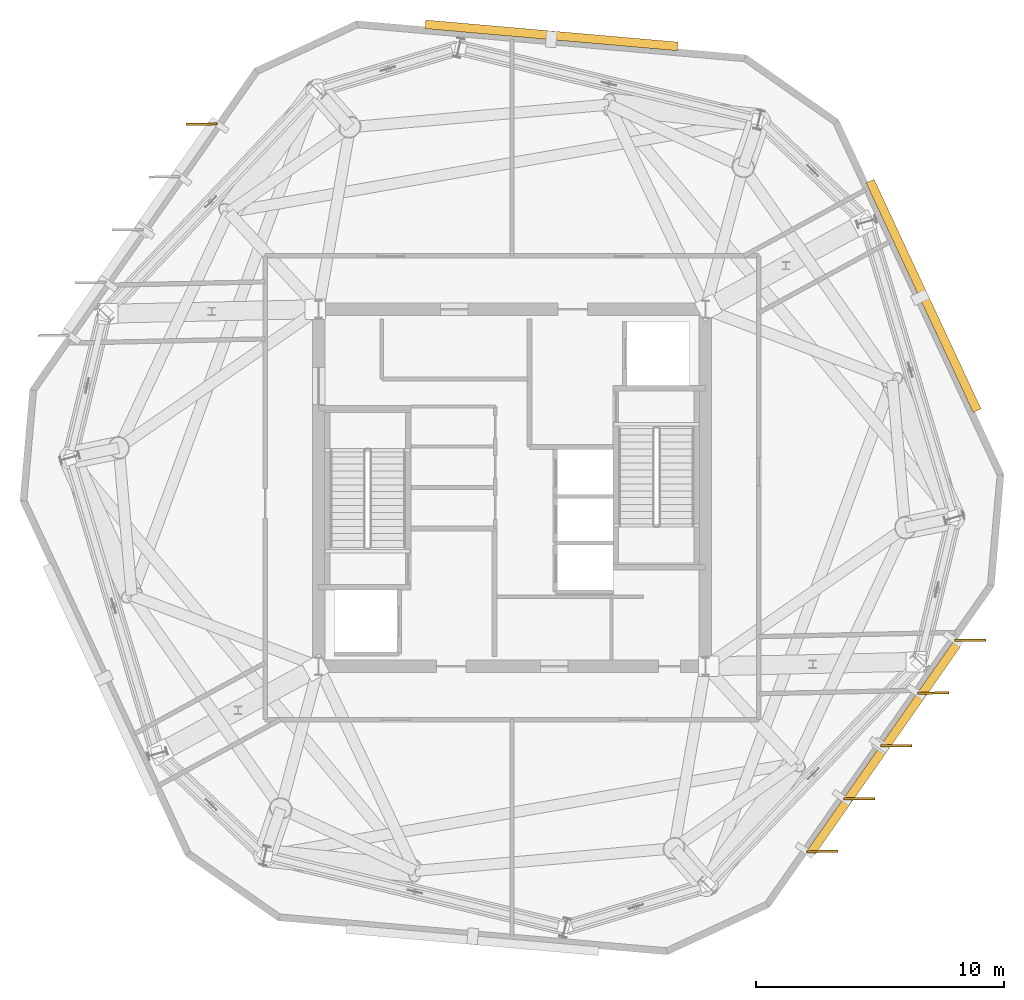
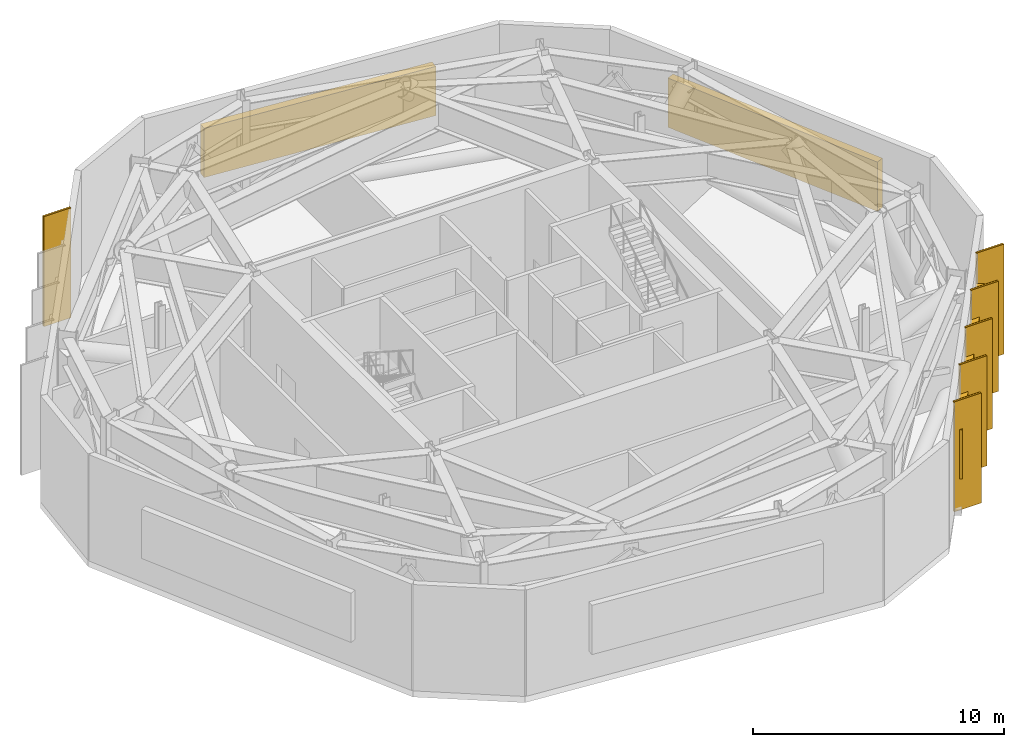
# One storey, part 10 of 10: 9 shading devices, 6 coverings.
"""IFC4 building model written with IfcOpenShell, lengths in metres."""

from ifc_helpers import new_model, si_unit, direction, frame, origin, origin_2d, place, context, subcontext, project, spatial, rectangle, extrude, material, layer, layer_set, type_object, element, save


model = new_model("IFC4")

# Units and contexts
model_context = context("Model", 3, precision=1e-05, world=origin(), true_north=direction((0.0, 1.0)))
body_context = subcontext(model_context, "Body", "Model", "MODEL_VIEW")
ifc_project = project(units=[si_unit("LENGTHUNIT", "METRE"), si_unit("AREAUNIT", "SQUARE_METRE"), si_unit("VOLUMEUNIT", "CUBIC_METRE"), si_unit("PLANEANGLEUNIT", "RADIAN"), si_unit("MASSUNIT", "GRAM", prefix="KILO")], contexts=[model_context])

# Site, building, storey
site_placement = place(None, origin())
site = spatial("IfcSite", under=ifc_project, at=site_placement, CompositionType="ELEMENT")
building_placement = place(site_placement, origin())
building = spatial("IfcBuilding", under=site, at=building_placement, Name="Kranzbogen Civic Tower", CompositionType="ELEMENT")
storey_placement = place(building_placement, frame((0.0, 0.0, 244.800048828125)))
storey = spatial("IfcBuildingStorey", under=building, at=storey_placement, Name="L59", CompositionType="ELEMENT", Elevation=244.800048828125)

# Coverings
ifc_material_1 = material(Name="Pale Anodised Aluminium", Category="aluminium")
ifc_layer = layer(ifc_material_1, 0.02490234375, Name="Pale Anodised Aluminium")
ifc_layer_set = layer_set([ifc_layer], Name="Pale Anodised Aluminium")
covering_type = type_object("IfcCoveringType", Name="Anodised Aluminium Vertical Fin Cladding 25 mm", PredefinedType="CLADDING", material=ifc_layer_set)
for number, where, z_axis, x_axis, name in (
    (1, (12.489990234375, 39.6640625, -0.14013671875), (0.0, 0.0, 1.0), (-0.999960849454, -0.008848703829, 0.0), "L59 vertical fin pale-metal cladding F2-1"),
    (2, (37.510009765625, 10.3359375, -0.14013671875), (0.0, 0.0, 1.0), (0.999960849454, 0.008848703829, 0.0), "L59 vertical fin pale-metal cladding F5-1"),
    (3, (39.0009765625, 12.465087890625, -0.14013671875), (0.0, 0.0, 1.0), (0.999960849454, 0.008848703829, 0.0), "L59 vertical fin pale-metal cladding F5-2"),
    (4, (40.492919921875, 14.594970703125, -0.14013671875), (0.0, 0.0, 1.0), (0.999960849454, 0.008848703829, 0.0), "L59 vertical fin pale-metal cladding F5-3"),
    (5, (41.98388671875, 16.72509765625, -0.14013671875), (0.0, 0.0, 1.0), (0.999960849454, 0.008848703829, 0.0), "L59 vertical fin pale-metal cladding F5-4"),
    (6, (43.47509765625, 18.85498046875, -0.14013671875), (0.0, 0.0, 1.0), (0.999960849454, 0.008848703829, 0.0), "L59 vertical fin pale-metal cladding F5-5"),
):
    element("IfcCovering", number, at=place(storey_placement, frame(where, z_axis=z_axis, x_axis=x_axis)), inside=storey, type_object=covering_type, Name=name, PredefinedType="CLADDING", context=body_context, shape_type="SweptSolid", body=[
        extrude(rectangle(XDim=1.25, YDim=0.10009765625, at=origin_2d()), origin(), (0.0, 0.0, 1.0), 5.360107421875),
    ])

# Shading devices
ifc_material_2 = material(Name="Anodised Bronze Aluminium", Category="aluminium")
shading_device_type_1 = type_object("IfcShadingDeviceType", Name="Anodised Bronze Vertical Facade Fin 1250x80", PredefinedType="USERDEFINED", material=ifc_material_2)
for number, where, z_axis, x_axis, name in (
    (7, (12.489990234375, 39.6640625, -0.14013671875), (0.0, 0.0, 1.0), (-0.999960849454, -0.008848703829, 0.0), "L59 vertical exterior shading fin F2-1"),
    (8, (37.510009765625, 10.3359375, -0.14013671875), (0.0, 0.0, 1.0), (0.999960849454, 0.008848703829, 0.0), "L59 vertical exterior shading fin F5-1"),
    (9, (39.0009765625, 12.465087890625, -0.14013671875), (0.0, 0.0, 1.0), (0.999960849454, 0.008848703829, 0.0), "L59 vertical exterior shading fin F5-2"),
    (10, (40.492919921875, 14.594970703125, -0.14013671875), (0.0, 0.0, 1.0), (0.999960849454, 0.008848703829, 0.0), "L59 vertical exterior shading fin F5-3"),
    (11, (41.98388671875, 16.72509765625, -0.14013671875), (0.0, 0.0, 1.0), (0.999960849454, 0.008848703829, 0.0), "L59 vertical exterior shading fin F5-4"),
    (12, (43.47509765625, 18.85498046875, -0.14013671875), (0.0, 0.0, 1.0), (0.999960849454, 0.008848703829, 0.0), "L59 vertical exterior shading fin F5-5"),
):
    element("IfcShadingDevice", number, at=place(storey_placement, frame(where, z_axis=z_axis, x_axis=x_axis)), inside=storey, type_object=shading_device_type_1, Name=name, ObjectType="FIN", PredefinedType="USERDEFINED", context=body_context, shape_type="SweptSolid", body=[
        extrude(rectangle(XDim=1.25, YDim=0.080078125, at=origin_2d()), origin(), (0.0, 0.0, 1.0), 5.360107421875),
    ])
shading_device_type_2 = type_object("IfcShadingDeviceType", Name="Plant Band Acoustic Weather Louvre Module", PredefinedType="USERDEFINED", material=ifc_material_1)
shading_device_1_placement = place(storey_placement, frame((26.595947265625, 43.241943359375, 1.389892578125), z_axis=(0.0, 0.0, 1.0), x_axis=(-0.996194698092, 0.087155742748, 0.0)))
element("IfcShadingDevice", 13, at=shading_device_1_placement, inside=storey, type_object=shading_device_type_2, Name="L59 acoustic intake louvre 1", ObjectType="LOUVRE", PredefinedType="USERDEFINED", context=body_context, shape_type="SweptSolid", body=[
    extrude(rectangle(XDim=10.2099609375, YDim=0.35009765625, at=origin_2d()), origin(), (0.0, 0.0, 1.0), 2.39990234375),
])
shading_device_2_placement = place(storey_placement, frame((40.0, 14.4970703125, 1.389892578125), z_axis=(0.0, 0.0, 1.0), x_axis=(0.573547842201, 0.819172065385, 0.0)))
element("IfcShadingDevice", 14, at=shading_device_2_placement, inside=storey, type_object=shading_device_type_2, Name="L59 acoustic intake louvre 5", ObjectType="LOUVRE", PredefinedType="USERDEFINED", context=body_context, shape_type="SweptSolid", body=[
    extrude(rectangle(XDim=10.209716796875, YDim=0.35009765625, at=origin_2d()), origin(), (0.0, 0.0, 1.0), 2.39990234375),
])
shading_device_3_placement = place(storey_placement, frame((41.595947265625, 32.738037109375, 1.389892578125), z_axis=(0.0, 0.0, 1.0), x_axis=(-0.422649897593, 0.906293034324, 0.0)))
element("IfcShadingDevice", 15, at=shading_device_3_placement, inside=storey, type_object=shading_device_type_2, Name="L59 acoustic intake louvre 6", ObjectType="LOUVRE", PredefinedType="USERDEFINED", context=body_context, shape_type="SweptSolid", body=[
    extrude(rectangle(XDim=10.210205078125, YDim=0.35009765625, at=origin_2d()), origin(), (0.0, 0.0, 1.0), 2.39990234375),
])

save(model, "model.ifc")
